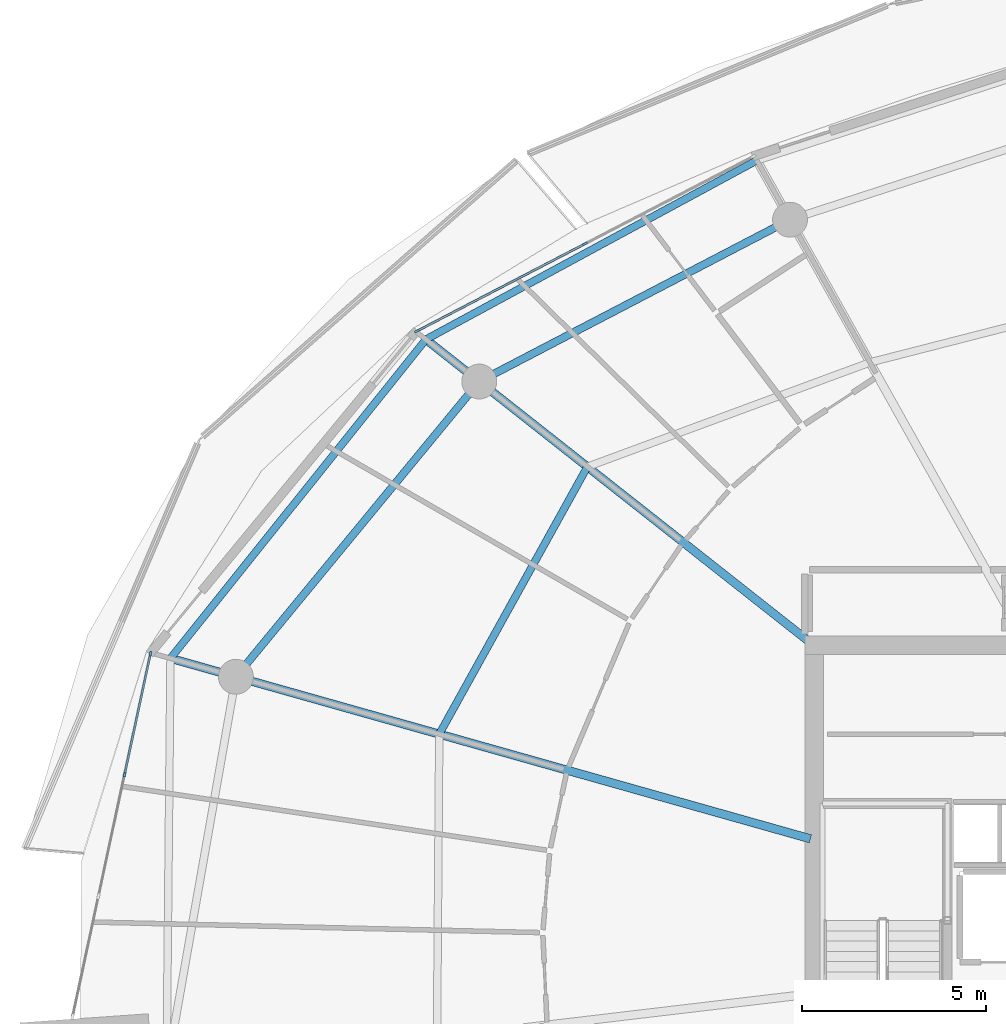
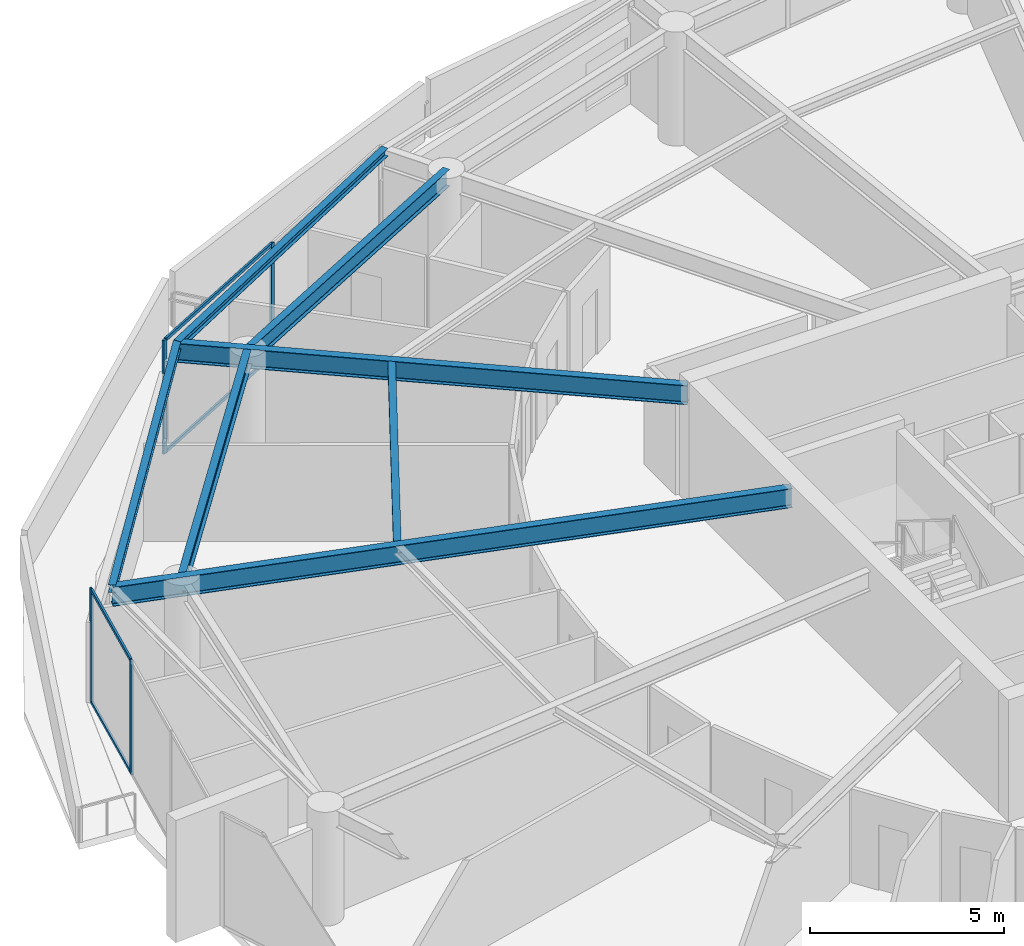
# One storey, part 12 of 31: 8 members, 7 beams, 2 elements without a shape of their own.
"""IFC4 building model written with IfcOpenShell, lengths in metres."""

from ifc_helpers import new_model, si_unit, direction, frame, origin, origin_2d, place, context, subcontext, project, spatial, rectangle, i_section, extrude, material, layer, layer_set, material_profile, profile_set, type_object, element, aggregate, save


model = new_model("IFC4")

# Units and contexts
model_context = context("Model", 3, precision=1e-05, world=origin(), true_north=direction((0.0, 1.0)))
body_context = subcontext(model_context, "Body", "Model", "MODEL_VIEW")
ifc_project = project(units=[si_unit("LENGTHUNIT", "METRE"), si_unit("AREAUNIT", "SQUARE_METRE"), si_unit("VOLUMEUNIT", "CUBIC_METRE"), si_unit("PLANEANGLEUNIT", "RADIAN"), si_unit("MASSUNIT", "GRAM", prefix="KILO")], contexts=[model_context])

# Site, building, storey
site_placement = place(None, origin())
site = spatial("IfcSite", under=ifc_project, at=site_placement, CompositionType="ELEMENT")
building_placement = place(site_placement, origin())
building = spatial("IfcBuilding", under=site, at=building_placement, Name="Kazma Halo Residences", CompositionType="ELEMENT")
storey_placement = place(building_placement, frame((0.0, 0.0, 275.199951171875)))
storey = spatial("IfcBuildingStorey", under=building, at=storey_placement, Name="L69", CompositionType="ELEMENT", Elevation=275.199951171875)

# Beams
ifc_material_1 = material(Name="Steel S355", Category="steel")
ifc_material_profile_1 = material_profile(ifc_material_1, i_section(OverallWidth=0.201904296875, OverallDepth=0.2470703125, WebThickness=0.00732421875, FlangeThickness=0.010986328125, FilletRadius=0.011962890625, at=origin_2d()), Name="W250x49.1")
ifc_profile_set_1 = profile_set([ifc_material_profile_1], Name="Steel S355")
beam_type_1 = type_object("IfcBeamType", Name="BM-BAL-CANT", PredefinedType="BEAM", material=ifc_profile_set_1)
beam_1_placement = place(storey_placement, frame((35.990478515625, 63.444580078125, 3.466552734375), z_axis=(-0.879517282036, -0.475866946321, 0.0), x_axis=(0.475866946321, -0.879517282036, 0.0)))
element("IfcBeam", 1, at=beam_1_placement, inside=storey, type_object=beam_type_1, Name="L69 wave-balcony tie beam 05", PredefinedType="BEAM", context=body_context, shape_type="SweptSolid", body=[
    extrude(i_section(OverallWidth=0.201904296875, OverallDepth=0.2470703125, WebThickness=0.00732421875, FlangeThickness=0.010986328125, FilletRadius=0.011962890625, at=origin_2d()), origin(), (0.0, 0.0, 1.0), 10.243408203125),
])
beam_2_placement = place(storey_placement, frame((26.981201171875, 58.570068359375, 3.466552734375), z_axis=(-0.625117912406, -0.780530329705, 0.0), x_axis=(0.780530329705, -0.625117912406, 0.0)))
element("IfcBeam", 2, at=beam_2_placement, inside=storey, type_object=beam_type_1, Name="L69 wave-balcony tie beam 06", PredefinedType="BEAM", context=body_context, shape_type="SweptSolid", body=[
    extrude(i_section(OverallWidth=0.201904296875, OverallDepth=0.2470703125, WebThickness=0.00732421875, FlangeThickness=0.010986328125, FilletRadius=0.011962890625, at=origin_2d()), origin(), (0.0, 0.0, 1.0), 11.1220703125),
])
ifc_material_profile_2 = material_profile(ifc_material_1, i_section(OverallWidth=0.22802734375, OverallDepth=0.60791015625, WebThickness=0.01123046875, FlangeThickness=0.017333984375, FilletRadius=0.01806640625, at=origin_2d()), Name="W610x113")
ifc_profile_set_2 = profile_set([ifc_material_profile_2], Name="Steel S355")
beam_type_2 = type_object("IfcBeamType", Name="BM-RAD-W610", PredefinedType="BEAM", material=ifc_profile_set_2)
beam_3_placement = place(storey_placement, frame((37.449951171875, 50.31689453125, 3.2861328125), z_axis=(-0.785306836423, 0.619106753854, 0.0), x_axis=(-0.619106753854, -0.785306836423, 0.0)))
element("IfcBeam", 3, at=beam_3_placement, inside=storey, type_object=beam_type_2, Name="L69 radial floor beam 06", PredefinedType="BEAM", context=body_context, shape_type="SweptSolid", body=[
    extrude(i_section(OverallWidth=0.22802734375, OverallDepth=0.60791015625, WebThickness=0.01123046875, FlangeThickness=0.017333984375, FilletRadius=0.01806640625, at=origin_2d()), origin(), (0.0, 0.0, 1.0), 13.330810546875),
])
beam_4_placement = place(storey_placement, frame((37.449951171875, 44.975341796875, 3.2861328125), z_axis=(-0.962451844494, 0.271452476559, 0.0), x_axis=(-0.271452476559, -0.962451844494, 0.0)))
element("IfcBeam", 4, at=beam_4_placement, inside=storey, type_object=beam_type_2, Name="L69 radial floor beam 07", PredefinedType="BEAM", context=body_context, shape_type="SweptSolid", body=[
    extrude(i_section(OverallWidth=0.22802734375, OverallDepth=0.60791015625, WebThickness=0.01123046875, FlangeThickness=0.017333984375, FilletRadius=0.01806640625, at=origin_2d()), origin(), (0.0, 0.0, 1.0), 18.10107421875),
])
ifc_material_profile_3 = material_profile(ifc_material_1, i_section(OverallWidth=0.202880859375, OverallDepth=0.302978515625, WebThickness=0.007568359375, FlangeThickness=0.01318359375, FilletRadius=0.013916015625, at=origin_2d()), Name="W310x60")
ifc_profile_set_3 = profile_set([ifc_material_profile_3], Name="Steel S355")
beam_type_3 = type_object("IfcBeamType", Name="BM-SEC-W310A", PredefinedType="JOIST", material=ifc_profile_set_3)
beam_5_placement = place(storey_placement, frame((31.3779296875, 55.103759765625, 3.4384765625), z_axis=(-0.484616234235, -0.874726874811, 0.0), x_axis=(0.874726874811, -0.484616234235, 0.0)))
element("IfcBeam", 5, at=beam_5_placement, inside=storey, type_object=beam_type_3, Name="L69 circumferential floor joist 06", PredefinedType="JOIST", context=body_context, shape_type="SweptSolid", body=[
    extrude(i_section(OverallWidth=0.202880859375, OverallDepth=0.302978515625, WebThickness=0.007568359375, FlangeThickness=0.01318359375, FilletRadius=0.013916015625, at=origin_2d()), origin(), (0.0, 0.0, 1.0), 8.321044921875),
])
ifc_material_profile_4 = material_profile(ifc_material_1, i_section(OverallWidth=0.208984375, OverallDepth=0.532958984375, WebThickness=0.01025390625, FlangeThickness=0.015625, FilletRadius=0.01611328125, at=origin_2d()), Name="W530x92")
ifc_profile_set_4 = profile_set([ifc_material_profile_4], Name="Steel S355")
beam_type_4 = type_object("IfcBeamType", Name="BM-SPN-W530", PredefinedType="BEAM", material=ifc_profile_set_4)
beam_6_placement = place(storey_placement, frame((36.89453125, 61.830322265625, 3.323486328125), z_axis=(-0.886961047115, -0.461844238788, 0.0), x_axis=(0.461844238788, -0.886961047115, 0.0)))
element("IfcBeam", 6, at=beam_6_placement, inside=storey, type_object=beam_type_4, Name="L69 perimeter ring beam 05", PredefinedType="BEAM", context=body_context, shape_type="SweptSolid", body=[
    extrude(i_section(OverallWidth=0.208984375, OverallDepth=0.532958984375, WebThickness=0.01025390625, FlangeThickness=0.015625, FilletRadius=0.01611328125, at=origin_2d()), origin(), (0.0, 0.0, 1.0), 9.5390625),
])
beam_7_placement = place(storey_placement, frame((28.433837890625, 57.4248046875, 3.323486328125), z_axis=(-0.636002144225, -0.771687289348, 0.0), x_axis=(0.771687289348, -0.636002144225, 0.0)))
element("IfcBeam", 7, at=beam_7_placement, inside=storey, type_object=beam_type_4, Name="L69 perimeter ring beam 06", PredefinedType="BEAM", context=body_context, shape_type="SweptSolid", body=[
    extrude(i_section(OverallWidth=0.208984375, OverallDepth=0.532958984375, WebThickness=0.01025390625, FlangeThickness=0.015625, FilletRadius=0.01611328125, at=origin_2d()), origin(), (0.0, 0.0, 1.0), 10.416259765625),
])

# Curtain wall, members
ifc_material_2 = material(Name="Aluminium AW-6063 T6 and Triple-Silver Low-E Glass", Category="aluminium")
ifc_layer = layer(ifc_material_2, 0.139892578125)
ifc_layer_set = layer_set([ifc_layer], Name="Aluminium AW-6063 T6 and Triple-Silver Low-E Glass")
curtain_wall_type = type_object("IfcCurtainWallType", Name="CW-SYS-5", PredefinedType="NOTDEFINED", material=ifc_layer_set)
curtain_wall_1_placement = place(storey_placement, origin())
curtain_wall_1 = element("IfcCurtainWall", 8, at=curtain_wall_1_placement, inside=storey, type_object=curtain_wall_type, Name="L69 unitised curtain wall B05", PredefinedType="NOTDEFINED")
ifc_material_3 = material(Name="Aluminium AW-6063 T6", Category="aluminium")
ifc_material_profile_5 = material_profile(ifc_material_3, rectangle(XDim=0.06005859375, YDim=0.139892578125, at=origin_2d()), Name="CWM-60x140")
ifc_profile_set_5 = profile_set([ifc_material_profile_5], Name="Aluminium AW-6063 T6")
member_type_1 = type_object("IfcMemberType", Name="CW-SYS-5-MUL", PredefinedType="MULLION", material=ifc_profile_set_5)
member_1_placement = place(storey_placement, frame((31.31591796875, 61.175537109375, 0.0), z_axis=(0.0, 0.0, 1.0), x_axis=(0.460960760804, -0.887420518694, 0.0)))
member_1 = element("IfcMember", 9, at=member_1_placement, type_object=member_type_1, Name="CWS-5 mullion 2", PredefinedType="MULLION", context=body_context, shape_type="SweptSolid", body=[
    extrude(rectangle(XDim=0.06005859375, YDim=0.139892578125, at=origin_2d()), origin(), (0.0, 0.0, 1.0), 3.590087890625),
])
member_2_placement = place(storey_placement, frame((26.737060546875, 58.797119140625, 0.0), z_axis=(0.0, 0.0, 1.0), x_axis=(0.460960760804, -0.887420518694, 0.0)))
member_2 = element("IfcMember", 10, at=member_2_placement, type_object=member_type_1, Name="CWS-5 mullion 3", PredefinedType="MULLION", context=body_context, shape_type="SweptSolid", body=[
    extrude(rectangle(XDim=0.06005859375, YDim=0.139892578125, at=origin_2d()), origin(), (0.0, 0.0, 1.0), 3.590087890625),
])

curtain_wall_2_placement = place(storey_placement, origin())
curtain_wall_2 = element("IfcCurtainWall", 11, at=curtain_wall_2_placement, inside=storey, type_object=curtain_wall_type, Name="L69 unitised curtain wall B07", PredefinedType="NOTDEFINED")
member_3_placement = place(storey_placement, frame((19.485107421875, 50.010986328125, 0.0), z_axis=(0.0, 0.0, 1.0), x_axis=(0.97777491373, -0.209657382603, 0.0)))
member_3 = element("IfcMember", 12, at=member_3_placement, type_object=member_type_1, Name="CWS-5 mullion 1", PredefinedType="MULLION", context=body_context, shape_type="SweptSolid", body=[
    extrude(rectangle(XDim=0.06005859375, YDim=0.139892578125, at=origin_2d()), origin(), (0.0, 0.0, 1.0), 3.590087890625),
])
member_4_placement = place(storey_placement, frame((18.781005859375, 46.7265625, 0.0), z_axis=(0.0, 0.0, 1.0), x_axis=(0.97777491373, -0.209657382603, 0.0)))
member_4 = element("IfcMember", 13, at=member_4_placement, type_object=member_type_1, Name="CWS-5 mullion 2", PredefinedType="MULLION", context=body_context, shape_type="SweptSolid", body=[
    extrude(rectangle(XDim=0.06005859375, YDim=0.139892578125, at=origin_2d()), origin(), (0.0, 0.0, 1.0), 3.590087890625),
])

# Member
ifc_material_profile_6 = material_profile(ifc_material_3, rectangle(XDim=0.06005859375, YDim=0.10498046875, at=origin_2d()), Name="CWT-60x105")
ifc_profile_set_6 = profile_set([ifc_material_profile_6], Name="Aluminium AW-6063 T6")
member_type_2 = type_object("IfcMemberType", Name="CW-SYS-5-TRN", PredefinedType="USERDEFINED", material=ifc_profile_set_6)
member_5_placement = place(storey_placement, frame((31.289306640625, 61.16162109375, 0.030029296875), z_axis=(-0.887436955863, -0.46092911534, 0.0), x_axis=(0.46092911534, -0.887436955863, 0.0)))
member_5 = element("IfcMember", 14, at=member_5_placement, type_object=member_type_2, Name="CWS-5 transom 2.1", ObjectType="TRANSOM", PredefinedType="USERDEFINED", context=body_context, shape_type="SweptSolid", body=[
    extrude(rectangle(XDim=0.06005859375, YDim=0.10498046875, at=origin_2d()), origin(), (0.0, 0.0, 1.0), 5.099609375),
])

member_6_placement = place(storey_placement, frame((31.289306640625, 61.16162109375, 3.56005859375), z_axis=(-0.887436955863, -0.46092911534, 0.0), x_axis=(0.46092911534, -0.887436955863, 0.0)))
member_6 = element("IfcMember", 15, at=member_6_placement, type_object=member_type_2, Name="CWS-5 transom 2.2", ObjectType="TRANSOM", PredefinedType="USERDEFINED", context=body_context, shape_type="SweptSolid", body=[
    extrude(rectangle(XDim=0.06005859375, YDim=0.10498046875, at=origin_2d()), origin(), (0.0, 0.0, 1.0), 5.099609375),
])

aggregate(curtain_wall_1, [member_1, member_2, member_5, member_6])

member_7_placement = place(storey_placement, frame((19.47900390625, 49.9814453125, 0.030029296875), z_axis=(-0.209660493552, -0.977774246666, 0.0), x_axis=(0.977774246666, -0.209660493552, 0.0)))
member_7 = element("IfcMember", 16, at=member_7_placement, type_object=member_type_2, Name="CWS-5 transom 1.1", ObjectType="TRANSOM", PredefinedType="USERDEFINED", context=body_context, shape_type="SweptSolid", body=[
    extrude(rectangle(XDim=0.06005859375, YDim=0.10498046875, at=origin_2d()), origin(), (0.0, 0.0, 1.0), 3.298828125),
])

member_8_placement = place(storey_placement, frame((19.47900390625, 49.9814453125, 3.56005859375), z_axis=(-0.209660493552, -0.977774246666, 0.0), x_axis=(0.977774246666, -0.209660493552, 0.0)))
member_8 = element("IfcMember", 17, at=member_8_placement, type_object=member_type_2, Name="CWS-5 transom 1.2", ObjectType="TRANSOM", PredefinedType="USERDEFINED", context=body_context, shape_type="SweptSolid", body=[
    extrude(rectangle(XDim=0.06005859375, YDim=0.10498046875, at=origin_2d()), origin(), (0.0, 0.0, 1.0), 3.298828125),
])

aggregate(curtain_wall_2, [member_3, member_4, member_7, member_8])

save(model, "model.ifc")
